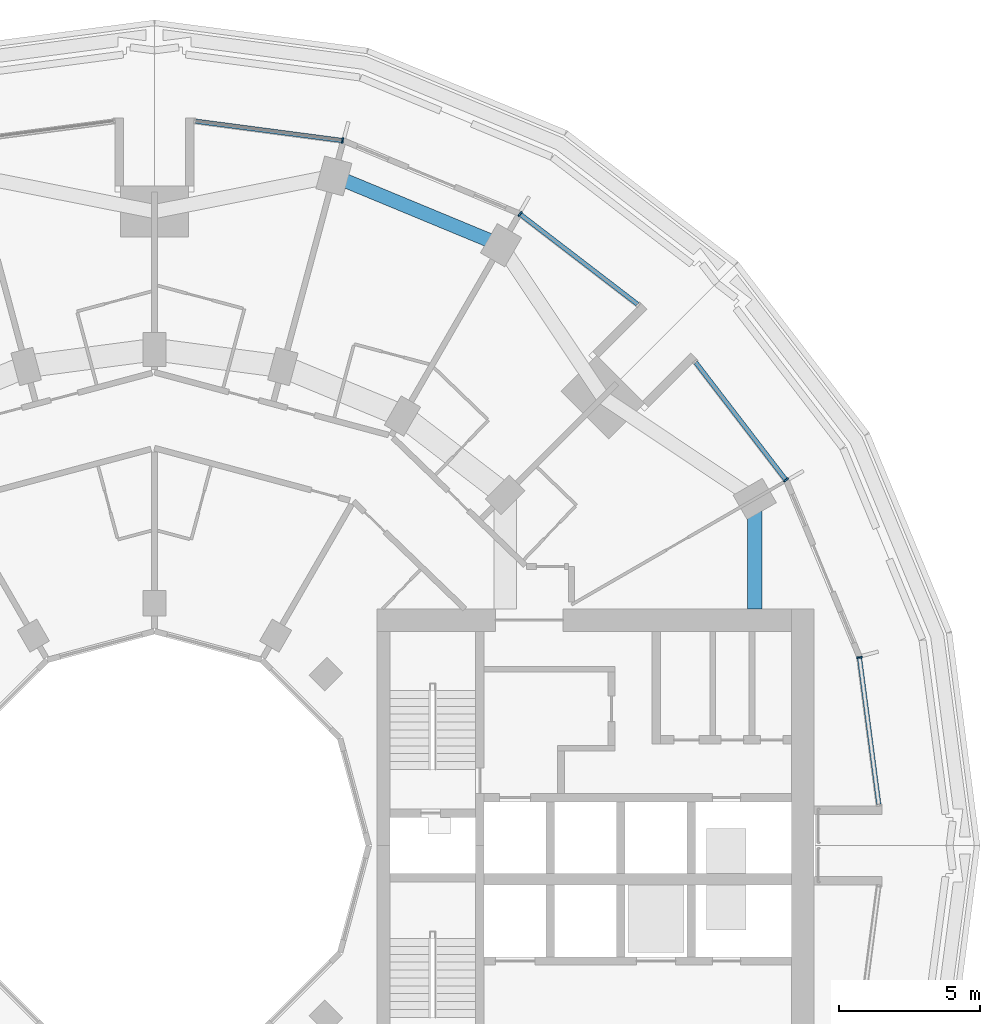
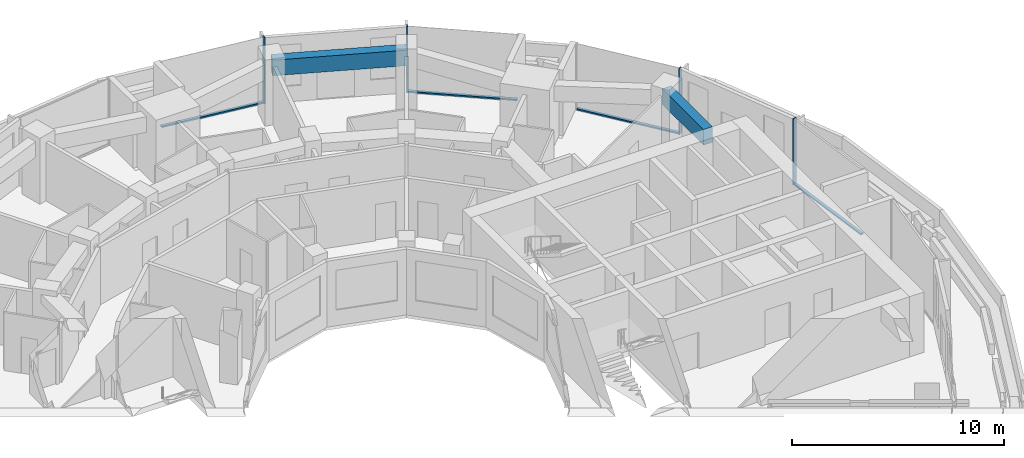
# One storey, part 7 of 19: 8 members, 2 beams, 4 elements without a shape of their own.
"""IFC4 building model written with IfcOpenShell, lengths in metres."""

from ifc_helpers import new_model, si_unit, direction, frame, origin, origin_2d, place, context, subcontext, project, spatial, rectangle, extrude, material, layer, layer_set, material_profile, profile_set, type_object, element, aggregate, save


model = new_model("IFC4")

# Units and contexts
model_context = context("Model", 3, precision=1e-05, world=origin(), true_north=direction((0.0, 1.0)))
body_context = subcontext(model_context, "Body", "Model", "MODEL_VIEW")
ifc_project = project(units=[si_unit("LENGTHUNIT", "METRE"), si_unit("AREAUNIT", "SQUARE_METRE"), si_unit("VOLUMEUNIT", "CUBIC_METRE"), si_unit("PLANEANGLEUNIT", "RADIAN"), si_unit("MASSUNIT", "GRAM", prefix="KILO")], contexts=[model_context])

# Site, building, storey
site_placement = place(None, origin())
site = spatial("IfcSite", under=ifc_project, at=site_placement, CompositionType="ELEMENT")
building_placement = place(site_placement, origin())
building = spatial("IfcBuilding", under=site, at=building_placement, Name="Torre Brocal", CompositionType="ELEMENT")
storey_placement = place(building_placement, frame((0.0, 0.0, 28.800048828125)))
storey = spatial("IfcBuildingStorey", under=building, at=storey_placement, Name="L05", CompositionType="ELEMENT", Elevation=28.800048828125)

# Curtain wall, member
ifc_material_1 = material(Name="Aluminium and glass", Category="aluminium")
ifc_layer_1 = layer(ifc_material_1, 0.199951171875)
ifc_layer_set_1 = layer_set([ifc_layer_1], Name="Aluminium and glass")
curtain_wall_type_1 = type_object("IfcCurtainWallType", Name="CW-1 CURTAIN WALL 3800 HIGH", PredefinedType="NOTDEFINED", material=ifc_layer_set_1)
curtain_wall_1_placement = place(storey_placement, origin())
curtain_wall_1 = element("IfcCurtainWall", 1, at=curtain_wall_1_placement, inside=storey, type_object=curtain_wall_type_1, Name="CW-1 RUN 3", PredefinedType="NOTDEFINED")
ifc_material_2 = material(Name="Aluminium, dark anodised", Category="aluminium")
ifc_material_profile_1 = material_profile(ifc_material_2, rectangle(XDim=0.199951171875, YDim=0.06005859375, at=origin_2d()), Name="CW-1 MULLION 60X200")
ifc_profile_set_1 = profile_set([ifc_material_profile_1], Name="Aluminium, dark anodised")
member_type_1 = type_object("IfcMemberType", Name="CW-1 MULLION 60X200", PredefinedType="MULLION", material=ifc_profile_set_1)
member_1_placement = place(storey_placement, frame((102.4111328125, 87.973388671875, 0.0), z_axis=(0.0, 0.0, 1.0), x_axis=(-0.793353340259, -0.60876142905, 0.0)))
member_1 = element("IfcMember", 2, at=member_1_placement, type_object=member_type_1, Name="CW1-1 mullion 1", PredefinedType="MULLION", context=body_context, shape_type="SweptSolid", body=[
    extrude(rectangle(XDim=0.199951171875, YDim=0.06005859375, at=origin_2d()), origin(), (0.0, 0.0, 1.0), 3.800048828125),
])

curtain_wall_2_placement = place(storey_placement, origin())
curtain_wall_2 = element("IfcCurtainWall", 3, at=curtain_wall_2_placement, inside=storey, type_object=curtain_wall_type_1, Name="CW-1 RUN 4", PredefinedType="NOTDEFINED")
member_2_placement = place(storey_placement, frame((92.973388671875, 97.4111328125, 0.0), z_axis=(0.0, 0.0, 1.0), x_axis=(-0.60876142905, -0.793353340259, 0.0)))
member_2 = element("IfcMember", 4, at=member_2_placement, type_object=member_type_1, Name="CW1-1 mullion 2", PredefinedType="MULLION", context=body_context, shape_type="SweptSolid", body=[
    extrude(rectangle(XDim=0.199951171875, YDim=0.06005859375, at=origin_2d()), origin(), (0.0, 0.0, 1.0), 3.800048828125),
])

curtain_wall_3_placement = place(storey_placement, origin())
curtain_wall_3 = element("IfcCurtainWall", 5, at=curtain_wall_3_placement, inside=storey, type_object=curtain_wall_type_1, Name="CW-1 RUN 6", PredefinedType="NOTDEFINED")
member_3_placement = place(storey_placement, frame((86.67333984375, 100.0205078125, 0.0), z_axis=(0.0, 0.0, 1.0), x_axis=(-0.13052619222, -0.991444861374, 0.0)))
member_3 = element("IfcMember", 6, at=member_3_placement, type_object=member_type_1, Name="CW1-1 mullion 1", PredefinedType="MULLION", context=body_context, shape_type="SweptSolid", body=[
    extrude(rectangle(XDim=0.199951171875, YDim=0.06005859375, at=origin_2d()), origin(), (0.0, 0.0, 1.0), 3.800048828125),
])

# Member
ifc_material_3 = material(Name="Aluminium, dark anodised", Category="aluminium")
ifc_material_profile_2 = material_profile(ifc_material_3, rectangle(XDim=0.159912109375, YDim=0.080078125, at=origin_2d()), Name="CW-1 TRANSOM 160X80")
ifc_profile_set_2 = profile_set([ifc_material_profile_2], Name="Aluminium, dark anodised")
member_type_2 = type_object("IfcMemberType", Name="CW-1 TRANSOM 160X80", PredefinedType="USERDEFINED", material=ifc_profile_set_2)
member_4_placement = place(storey_placement, frame((102.392822265625, 87.9970703125, 0.0400390625), z_axis=(-0.60874908096, 0.79336281513, 0.0), x_axis=(-0.79336281513, -0.60874908096, 0.0)))
member_4 = element("IfcMember", 7, at=member_4_placement, type_object=member_type_2, Name="CW1-1 transom 1.1", ObjectType="TRANSOM", PredefinedType="USERDEFINED", context=body_context, shape_type="SweptSolid", body=[
    extrude(rectangle(XDim=0.159912109375, YDim=0.080078125, at=origin_2d()), origin(), (0.0, 0.0, 1.0), 5.22900390625),
])

aggregate(curtain_wall_1, [member_1, member_4])

member_5_placement = place(storey_placement, frame((97.1455078125, 94.209716796875, 0.0400390625), z_axis=(-0.79336281513, 0.60874908096, 0.0), x_axis=(-0.60874908096, -0.79336281513, 0.0)))
member_5 = element("IfcMember", 8, at=member_5_placement, type_object=member_type_2, Name="CW1-1 transom 1.1", ObjectType="TRANSOM", PredefinedType="USERDEFINED", context=body_context, shape_type="SweptSolid", body=[
    extrude(rectangle(XDim=0.159912109375, YDim=0.080078125, at=origin_2d()), origin(), (0.0, 0.0, 1.0), 5.22900390625),
])

aggregate(curtain_wall_2, [member_2, member_5])

member_6_placement = place(storey_placement, frame((86.643798828125, 100.0244140625, 0.0400390625), z_axis=(-0.991442690863, 0.130542677827, 0.0), x_axis=(-0.130542677827, -0.991442690863, 0.0)))
member_6 = element("IfcMember", 9, at=member_6_placement, type_object=member_type_2, Name="CW1-1 transom 1.1", ObjectType="TRANSOM", PredefinedType="USERDEFINED", context=body_context, shape_type="SweptSolid", body=[
    extrude(rectangle(XDim=0.159912109375, YDim=0.080078125, at=origin_2d()), origin(), (0.0, 0.0, 1.0), 5.22900390625),
])

aggregate(curtain_wall_3, [member_3, member_6])

# Curtain wall, members
ifc_material_4 = material(Name="Aluminium and glass", Category="aluminium")
ifc_layer_2 = layer(ifc_material_4, 0.199951171875)
ifc_layer_set_2 = layer_set([ifc_layer_2], Name="Aluminium and glass")
curtain_wall_type_2 = type_object("IfcCurtainWallType", Name="CW-1B CURTAIN WALL 3800 HIGH", PredefinedType="NOTDEFINED", material=ifc_layer_set_2)
curtain_wall_4_placement = place(storey_placement, origin())
curtain_wall_4 = element("IfcCurtainWall", 10, at=curtain_wall_4_placement, inside=storey, type_object=curtain_wall_type_2, Name="CW-1B RUN 1", PredefinedType="NOTDEFINED")
ifc_material_5 = material(Name="Aluminium, dark anodised", Category="aluminium")
ifc_material_profile_3 = material_profile(ifc_material_5, rectangle(XDim=0.199951171875, YDim=0.06005859375, at=origin_2d()), Name="CW-1B MULLION 60X200")
ifc_profile_set_3 = profile_set([ifc_material_profile_3], Name="Aluminium, dark anodised")
member_type_3 = type_object("IfcMemberType", Name="CW-1B MULLION 60X200", PredefinedType="MULLION", material=ifc_profile_set_3)
member_7_placement = place(storey_placement, frame((105.0205078125, 81.67333984375, 0.0), z_axis=(0.0, 0.0, 1.0), x_axis=(-0.991444861374, -0.13052619222, 0.0)))
member_7 = element("IfcMember", 11, at=member_7_placement, type_object=member_type_3, Name="CW1B-1 mullion 2", PredefinedType="MULLION", context=body_context, shape_type="SweptSolid", body=[
    extrude(rectangle(XDim=0.199951171875, YDim=0.06005859375, at=origin_2d()), origin(), (0.0, 0.0, 1.0), 3.800048828125),
])
ifc_material_6 = material(Name="Aluminium, dark anodised", Category="aluminium")
ifc_material_profile_4 = material_profile(ifc_material_6, rectangle(XDim=0.159912109375, YDim=0.080078125, at=origin_2d()), Name="CW-1B TRANSOM 160X80")
ifc_profile_set_4 = profile_set([ifc_material_profile_4], Name="Aluminium, dark anodised")
member_type_4 = type_object("IfcMemberType", Name="CW-1B TRANSOM 160X80", PredefinedType="USERDEFINED", material=ifc_profile_set_4)
member_8_placement = place(storey_placement, frame((105.70703125, 76.45947265625, 0.0400390625), z_axis=(-0.130542677827, 0.991442690863, 0.0), x_axis=(-0.991442690863, -0.130542677827, 0.0)))
member_8 = element("IfcMember", 12, at=member_8_placement, type_object=member_type_4, Name="CW1B-1 transom 1.1", ObjectType="TRANSOM", PredefinedType="USERDEFINED", context=body_context, shape_type="SweptSolid", body=[
    extrude(rectangle(XDim=0.159912109375, YDim=0.080078125, at=origin_2d()), origin(), (0.0, 0.0, 1.0), 5.22900390625),
])
aggregate(curtain_wall_4, [member_7, member_8])

# Beams
ifc_material_7 = material(Name="Concrete C50", Category="concrete")
ifc_material_profile_5 = material_profile(ifc_material_7, rectangle(XDim=0.5, YDim=0.89990234375, at=origin_2d()), Name="RC 500X900")
ifc_profile_set_5 = profile_set([ifc_material_profile_5], Name="Concrete C50")
beam_type = type_object("IfcBeamType", Name="RC SPANDREL BEAM 500X900 C50 TOP 3480", PredefinedType="SPANDREL", material=ifc_profile_set_5)
beam_1_placement = place(storey_placement, frame((92.300048828125, 96.30419921875, 3.030029296875), z_axis=(-0.923882462513, 0.382676358639, 0.0), x_axis=(-0.382676358639, -0.923882462513, 0.0)))
element("IfcBeam", 13, at=beam_1_placement, inside=storey, type_object=beam_type, Name="Beam BT-20", PredefinedType="SPANDREL", context=body_context, shape_type="SweptSolid", body=[
    extrude(rectangle(XDim=0.5, YDim=0.89990234375, at=origin_2d()), origin(), (0.0, 0.0, 1.0), 6.421875),
])
beam_2_placement = place(storey_placement, frame((101.30419921875, 87.300048828125, 3.030029296875), z_axis=(0.0, -1.0, 0.0), x_axis=(1.0, 0.0, 0.0)))
element("IfcBeam", 14, at=beam_2_placement, inside=storey, type_object=beam_type, Name="Beam BT-20", PredefinedType="SPANDREL", context=body_context, shape_type="SweptSolid", body=[
    extrude(rectangle(XDim=0.5, YDim=0.89990234375, at=origin_2d()), origin(), (0.0, 0.0, 1.0), 3.900146484375),
])

save(model, "model.ifc")
